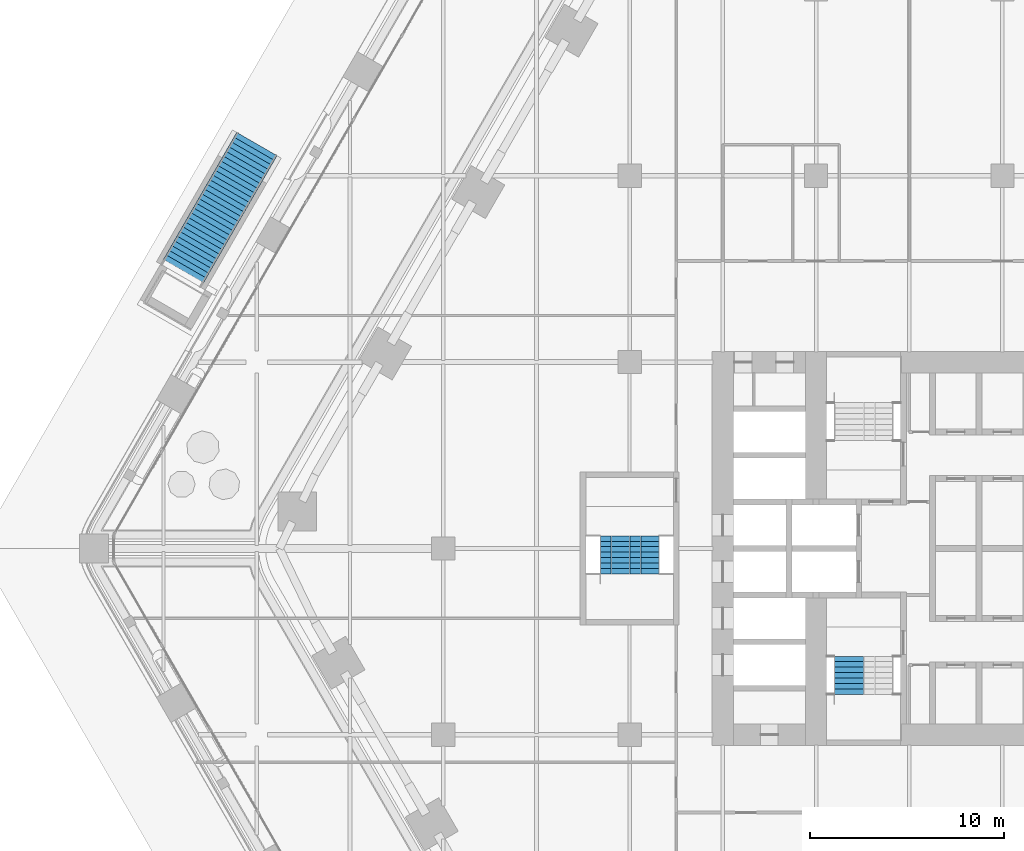
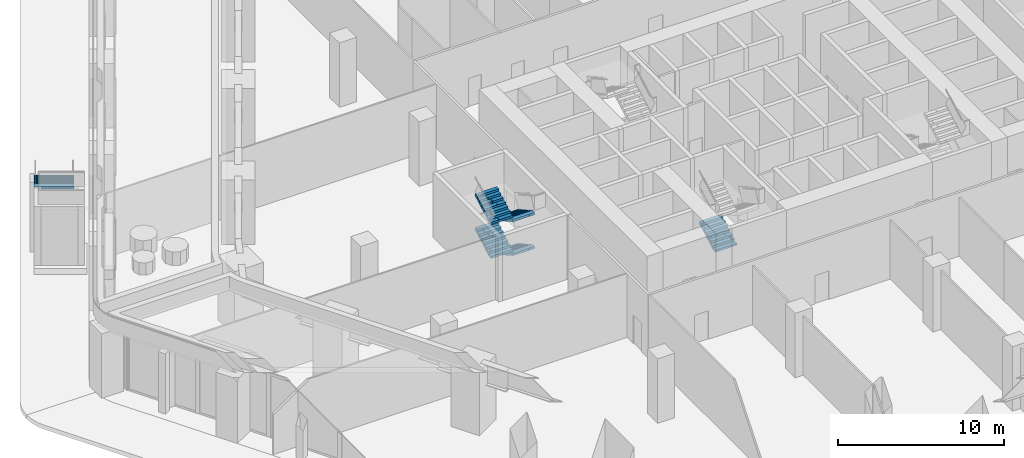
# One storey, part 24 of 34: 6 stair flights, 3 elements without a shape of their own.
"""IFC4 building model written with IfcOpenShell, lengths in metres."""

from ifc_helpers import new_model, si_unit, direction, frame, origin, place, context, subcontext, project, spatial, polyline, outline, extrude, material, type_object, element, aggregate, save


model = new_model("IFC4")

# Units and contexts
model_context = context("Model", 3, precision=1e-05, world=origin(), true_north=direction((0.0, 1.0)))
body_context = subcontext(model_context, "Body", "Model", "MODEL_VIEW")
ifc_project = project(units=[si_unit("LENGTHUNIT", "METRE"), si_unit("AREAUNIT", "SQUARE_METRE"), si_unit("VOLUMEUNIT", "CUBIC_METRE"), si_unit("PLANEANGLEUNIT", "RADIAN"), si_unit("MASSUNIT", "GRAM", prefix="KILO")], contexts=[model_context])

# Site, building, storey
site_placement = place(None, origin())
site = spatial("IfcSite", under=ifc_project, at=site_placement, CompositionType="ELEMENT")
building_placement = place(site_placement, origin())
building = spatial("IfcBuilding", under=site, at=building_placement, Name="Kolab Exchange Tower", CompositionType="ELEMENT")
storey_placement = place(building_placement, frame((0.0, 0.0, 12.39990234375)))
storey = spatial("IfcBuildingStorey", under=building, at=storey_placement, Name="L02", CompositionType="ELEMENT", Elevation=12.39990234375)

# Stair, stair flight
ifc_material_1 = material(Name="Concrete C40/50", Category="concrete")
stair_type_1 = type_object("IfcStairType", Name="GARDEN STAIR RUN A", PredefinedType="STRAIGHT_RUN_STAIR", material=ifc_material_1)
stair_1_placement = place(storey_placement, origin())
stair_1 = element("IfcStair", 1, at=stair_1_placement, inside=storey, type_object=stair_type_1, Name="Garden stair GS6 run A", PredefinedType="STRAIGHT_RUN_STAIR")
stair_flight_type_1 = type_object("IfcStairFlightType", Name="GARDEN STAIR FLIGHT A", PredefinedType="STRAIGHT", material=ifc_material_1)
stair_flight_1_placement = place(storey_placement, frame((-38.398681640625, 20.830078125, 0.0), z_axis=(0.0, 0.0, 1.0), x_axis=(-0.5, -0.866025403784, 0.0)))
stair_flight_1 = element("IfcStairFlight", 2, at=stair_flight_1_placement, type_object=stair_flight_type_1, Name="GS6 flight 1", NumberOfRisers=29, NumberOfTreads=28, PredefinedType="STRAIGHT", RiserHeight=0.172414, TreadLength=0.28, context=body_context, shape_type="SweptSolid", body=[
    extrude(outline(polyline([(0.0, 0.0), (0.0, 0.17236328125), (0.280029296875, 0.17236328125), (0.280029296875, 0.3447265625), (0.56005859375, 0.3447265625), (0.56005859375, 0.517333984375), (0.840087890625, 0.517333984375), (0.840087890625, 0.689697265625), (1.1201171875, 0.689697265625), (1.1201171875, 0.862060546875), (1.39990234375, 0.862060546875), (1.39990234375, 1.034423828125), (1.679931640625, 1.034423828125), (1.679931640625, 1.206787109375), (1.9599609375, 1.206787109375), (1.9599609375, 1.37939453125), (2.239990234375, 1.37939453125), (2.239990234375, 1.5517578125), (2.52001953125, 1.5517578125), (2.52001953125, 1.72412109375), (2.800048828125, 1.72412109375), (2.800048828125, 1.896484375), (3.080078125, 1.896484375), (3.080078125, 2.06884765625), (3.360107421875, 2.06884765625), (3.360107421875, 2.241455078125), (3.639892578125, 2.241455078125), (3.639892578125, 2.413818359375), (3.919921875, 2.413818359375), (3.919921875, 2.586181640625), (4.199951171875, 2.586181640625), (4.199951171875, 2.758544921875), (4.47998046875, 2.758544921875), (4.47998046875, 2.93115234375), (4.760009765625, 2.93115234375), (4.760009765625, 3.103515625), (5.0400390625, 3.103515625), (5.0400390625, 3.27587890625), (5.320068359375, 3.27587890625), (5.320068359375, 3.4482421875), (5.60009765625, 3.4482421875), (5.60009765625, 3.62060546875), (5.8798828125, 3.62060546875), (5.8798828125, 3.793212890625), (6.159912109375, 3.793212890625), (6.159912109375, 3.965576171875), (6.43994140625, 3.965576171875), (6.43994140625, 4.137939453125), (6.719970703125, 4.137939453125), (6.719970703125, 4.310302734375), (7.0, 4.310302734375), (7.0, 4.482666015625), (7.280029296875, 4.482666015625), (7.280029296875, 4.6552734375), (7.56005859375, 4.6552734375), (7.56005859375, 4.82763671875), (7.840087890625, 4.82763671875), (7.840087890625, 5.0), (7.840087890625, 4.651611328125), (0.285888671875, 0.0), (0.0, 0.0)])), frame((0.0, 1.199951171875, 0.0), z_axis=(0.0, -1.0, 0.0), x_axis=(1.0, 0.0, 0.0)), (0.0, 0.0, 1.0), 2.39990234375),
])
aggregate(stair_1, [stair_flight_1])

ifc_material_2 = material(Name="Concrete C50/60", Category="concrete")
stair_type_2 = type_object("IfcStairType", Name="STAIR ST3 RISER 156.2", PredefinedType="DOUBLE_RETURN_STAIR", material=ifc_material_2)
stair_2_placement = place(storey_placement, origin())
stair_2 = element("IfcStair", 3, at=stair_2_placement, inside=storey, type_object=stair_type_2, Name="Stair 3", PredefinedType="DOUBLE_RETURN_STAIR")
stair_flight_type_2 = type_object("IfcStairFlightType", Name="STAIR FLIGHT 1500 RISER 156.2", PredefinedType="STRAIGHT", material=ifc_material_2)
stair_flight_2_placement = place(storey_placement, frame((-7.909912109375, -7.510009765625, 1.25), z_axis=(0.0, 0.0, 1.0), x_axis=(0.0, 1.0, 0.0)))
stair_flight_2 = element("IfcStairFlight", 4, at=stair_flight_2_placement, type_object=stair_flight_type_2, Name="ST3 flight 2", NumberOfRisers=8, NumberOfTreads=7, PredefinedType="STRAIGHT", RiserHeight=0.15625, TreadLength=0.28, context=body_context, shape_type="SweptSolid", body=[
    extrude(outline(polyline([(0.0, 0.0), (0.0, 0.15625), (0.280029296875, 0.15625), (0.280029296875, 0.3125), (0.56005859375, 0.3125), (0.56005859375, 0.46875), (0.840087890625, 0.46875), (0.840087890625, 0.625), (1.1201171875, 0.625), (1.1201171875, 0.78125), (1.39990234375, 0.78125), (1.39990234375, 0.9375), (1.679931640625, 0.9375), (1.679931640625, 1.09375), (1.9599609375, 1.09375), (1.9599609375, 1.25), (1.9599609375, 0.922119140625), (0.3076171875, 0.0), (0.0, 0.0)])), frame((0.0, 0.75, 0.0), z_axis=(0.0, -1.0, 0.0), x_axis=(1.0, 0.0, 0.0)), (0.0, 0.0, 1.0), 0.185791015625),
    extrude(outline(polyline([(0.0, 0.0), (0.0, 0.15625), (0.280029296875, 0.15625), (0.280029296875, 0.3125), (0.56005859375, 0.3125), (0.56005859375, 0.46875), (0.840087890625, 0.46875), (0.840087890625, 0.625), (1.1201171875, 0.625), (1.1201171875, 0.78125), (1.39990234375, 0.78125), (1.39990234375, 0.9375), (1.679931640625, 0.9375), (1.679931640625, 1.09375), (1.9599609375, 1.09375), (1.9599609375, 1.25), (1.9599609375, 0.922119140625), (0.3076171875, 0.0), (0.0, 0.0)])), frame((0.0, 0.562255859375, 0.0), z_axis=(0.0, -1.0, 0.0), x_axis=(1.0, 0.0, 0.0)), (0.0, 0.0, 1.0), 0.185791015625),
    extrude(outline(polyline([(0.0, 0.0), (0.0, 0.15625), (0.280029296875, 0.15625), (0.280029296875, 0.3125), (0.56005859375, 0.3125), (0.56005859375, 0.46875), (0.840087890625, 0.46875), (0.840087890625, 0.625), (1.1201171875, 0.625), (1.1201171875, 0.78125), (1.39990234375, 0.78125), (1.39990234375, 0.9375), (1.679931640625, 0.9375), (1.679931640625, 1.09375), (1.9599609375, 1.09375), (1.9599609375, 1.25), (1.9599609375, 0.922119140625), (0.3076171875, 0.0), (0.0, 0.0)])), frame((0.0, 0.37451171875, 0.0), z_axis=(0.0, -1.0, 0.0), x_axis=(1.0, 0.0, 0.0)), (0.0, 0.0, 1.0), 0.185791015625),
    extrude(outline(polyline([(0.0, 0.0), (0.0, 0.15625), (0.280029296875, 0.15625), (0.280029296875, 0.3125), (0.56005859375, 0.3125), (0.56005859375, 0.46875), (0.840087890625, 0.46875), (0.840087890625, 0.625), (1.1201171875, 0.625), (1.1201171875, 0.78125), (1.39990234375, 0.78125), (1.39990234375, 0.9375), (1.679931640625, 0.9375), (1.679931640625, 1.09375), (1.9599609375, 1.09375), (1.9599609375, 1.25), (1.9599609375, 0.922119140625), (0.3076171875, 0.0), (0.0, 0.0)])), frame((0.0, 0.186767578125, 0.0), z_axis=(0.0, -1.0, 0.0), x_axis=(1.0, 0.0, 0.0)), (0.0, 0.0, 1.0), 0.185791015625),
    extrude(outline(polyline([(0.0, 0.0), (0.0, 0.15625), (0.280029296875, 0.15625), (0.280029296875, 0.3125), (0.56005859375, 0.3125), (0.56005859375, 0.46875), (0.840087890625, 0.46875), (0.840087890625, 0.625), (1.1201171875, 0.625), (1.1201171875, 0.78125), (1.39990234375, 0.78125), (1.39990234375, 0.9375), (1.679931640625, 0.9375), (1.679931640625, 1.09375), (1.9599609375, 1.09375), (1.9599609375, 1.25), (1.9599609375, 0.922119140625), (0.3076171875, 0.0), (0.0, 0.0)])), frame((0.0, -0.0009765625, 0.0), z_axis=(0.0, -1.0, 0.0), x_axis=(1.0, 0.0, 0.0)), (0.0, 0.0, 1.0), 0.185791015625),
    extrude(outline(polyline([(0.0, 0.0), (0.0, 0.15625), (0.280029296875, 0.15625), (0.280029296875, 0.3125), (0.56005859375, 0.3125), (0.56005859375, 0.46875), (0.840087890625, 0.46875), (0.840087890625, 0.625), (1.1201171875, 0.625), (1.1201171875, 0.78125), (1.39990234375, 0.78125), (1.39990234375, 0.9375), (1.679931640625, 0.9375), (1.679931640625, 1.09375), (1.9599609375, 1.09375), (1.9599609375, 1.25), (1.9599609375, 0.922119140625), (0.3076171875, 0.0), (0.0, 0.0)])), frame((0.0, -0.188720703125, 0.0), z_axis=(0.0, -1.0, 0.0), x_axis=(1.0, 0.0, 0.0)), (0.0, 0.0, 1.0), 0.185791015625),
    extrude(outline(polyline([(0.0, 0.0), (0.0, 0.15625), (0.280029296875, 0.15625), (0.280029296875, 0.3125), (0.56005859375, 0.3125), (0.56005859375, 0.46875), (0.840087890625, 0.46875), (0.840087890625, 0.625), (1.1201171875, 0.625), (1.1201171875, 0.78125), (1.39990234375, 0.78125), (1.39990234375, 0.9375), (1.679931640625, 0.9375), (1.679931640625, 1.09375), (1.9599609375, 1.09375), (1.9599609375, 1.25), (1.9599609375, 0.922119140625), (0.3076171875, 0.0), (0.0, 0.0)])), frame((0.0, -0.37646484375, 0.0), z_axis=(0.0, -1.0, 0.0), x_axis=(1.0, 0.0, 0.0)), (0.0, 0.0, 1.0), 0.185791015625),
    extrude(outline(polyline([(0.0, 0.0), (0.0, 0.15625), (0.280029296875, 0.15625), (0.280029296875, 0.3125), (0.56005859375, 0.3125), (0.56005859375, 0.46875), (0.840087890625, 0.46875), (0.840087890625, 0.625), (1.1201171875, 0.625), (1.1201171875, 0.78125), (1.39990234375, 0.78125), (1.39990234375, 0.9375), (1.679931640625, 0.9375), (1.679931640625, 1.09375), (1.9599609375, 1.09375), (1.9599609375, 1.25), (1.9599609375, 0.922119140625), (0.3076171875, 0.0), (0.0, 0.0)])), frame((0.0, -0.564208984375, 0.0), z_axis=(0.0, -1.0, 0.0), x_axis=(1.0, 0.0, 0.0)), (0.0, 0.0, 1.0), 0.185791015625),
])
aggregate(stair_2, [stair_flight_2])

# Stair, stair flights
stair_type_3 = type_object("IfcStairType", Name="STAIR ST5 RISER 156.2", PredefinedType="DOUBLE_RETURN_STAIR", material=ifc_material_2)
stair_3_placement = place(storey_placement, origin())
stair_3 = element("IfcStair", 5, at=stair_3_placement, inside=storey, type_object=stair_type_3, Name="Stair 5", PredefinedType="DOUBLE_RETURN_STAIR")
stair_flight_3_placement = place(storey_placement, frame((-18.43994140625, 0.64990234375, 0.0), z_axis=(0.0, 0.0, 1.0), x_axis=(0.0, -1.0, 0.0)))
stair_flight_3 = element("IfcStairFlight", 6, at=stair_flight_3_placement, type_object=stair_flight_type_2, Name="ST5 flight 1", NumberOfRisers=8, NumberOfTreads=7, PredefinedType="STRAIGHT", RiserHeight=0.15625, TreadLength=0.28, context=body_context, shape_type="SweptSolid", body=[
    extrude(outline(polyline([(0.0, 0.0), (0.0, 0.15625), (0.280029296875, 0.15625), (0.280029296875, 0.3125), (0.56005859375, 0.3125), (0.56005859375, 0.46875), (0.840087890625, 0.46875), (0.840087890625, 0.625), (1.1201171875, 0.625), (1.1201171875, 0.78125), (1.39990234375, 0.78125), (1.39990234375, 0.9375), (1.679931640625, 0.9375), (1.679931640625, 1.09375), (1.9599609375, 1.09375), (1.9599609375, 1.25), (1.9599609375, 0.922119140625), (0.3076171875, 0.0), (0.0, 0.0)])), frame((0.0, 0.75, 0.0), z_axis=(0.0, -1.0, 0.0), x_axis=(1.0, 0.0, 0.0)), (0.0, 0.0, 1.0), 0.185791015625),
    extrude(outline(polyline([(0.0, 0.0), (0.0, 0.15625), (0.280029296875, 0.15625), (0.280029296875, 0.3125), (0.56005859375, 0.3125), (0.56005859375, 0.46875), (0.840087890625, 0.46875), (0.840087890625, 0.625), (1.1201171875, 0.625), (1.1201171875, 0.78125), (1.39990234375, 0.78125), (1.39990234375, 0.9375), (1.679931640625, 0.9375), (1.679931640625, 1.09375), (1.9599609375, 1.09375), (1.9599609375, 1.25), (1.9599609375, 0.922119140625), (0.3076171875, 0.0), (0.0, 0.0)])), frame((0.0, 0.562255859375, 0.0), z_axis=(0.0, -1.0, 0.0), x_axis=(1.0, 0.0, 0.0)), (0.0, 0.0, 1.0), 0.185791015625),
    extrude(outline(polyline([(0.0, 0.0), (0.0, 0.15625), (0.280029296875, 0.15625), (0.280029296875, 0.3125), (0.56005859375, 0.3125), (0.56005859375, 0.46875), (0.840087890625, 0.46875), (0.840087890625, 0.625), (1.1201171875, 0.625), (1.1201171875, 0.78125), (1.39990234375, 0.78125), (1.39990234375, 0.9375), (1.679931640625, 0.9375), (1.679931640625, 1.09375), (1.9599609375, 1.09375), (1.9599609375, 1.25), (1.9599609375, 0.922119140625), (0.3076171875, 0.0), (0.0, 0.0)])), frame((0.0, 0.37451171875, 0.0), z_axis=(0.0, -1.0, 0.0), x_axis=(1.0, 0.0, 0.0)), (0.0, 0.0, 1.0), 0.185791015625),
    extrude(outline(polyline([(0.0, 0.0), (0.0, 0.15625), (0.280029296875, 0.15625), (0.280029296875, 0.3125), (0.56005859375, 0.3125), (0.56005859375, 0.46875), (0.840087890625, 0.46875), (0.840087890625, 0.625), (1.1201171875, 0.625), (1.1201171875, 0.78125), (1.39990234375, 0.78125), (1.39990234375, 0.9375), (1.679931640625, 0.9375), (1.679931640625, 1.09375), (1.9599609375, 1.09375), (1.9599609375, 1.25), (1.9599609375, 0.922119140625), (0.3076171875, 0.0), (0.0, 0.0)])), frame((0.0, 0.186767578125, 0.0), z_axis=(0.0, -1.0, 0.0), x_axis=(1.0, 0.0, 0.0)), (0.0, 0.0, 1.0), 0.185791015625),
    extrude(outline(polyline([(0.0, 0.0), (0.0, 0.15625), (0.280029296875, 0.15625), (0.280029296875, 0.3125), (0.56005859375, 0.3125), (0.56005859375, 0.46875), (0.840087890625, 0.46875), (0.840087890625, 0.625), (1.1201171875, 0.625), (1.1201171875, 0.78125), (1.39990234375, 0.78125), (1.39990234375, 0.9375), (1.679931640625, 0.9375), (1.679931640625, 1.09375), (1.9599609375, 1.09375), (1.9599609375, 1.25), (1.9599609375, 0.922119140625), (0.3076171875, 0.0), (0.0, 0.0)])), frame((0.0, -0.0009765625, 0.0), z_axis=(0.0, -1.0, 0.0), x_axis=(1.0, 0.0, 0.0)), (0.0, 0.0, 1.0), 0.185791015625),
    extrude(outline(polyline([(0.0, 0.0), (0.0, 0.15625), (0.280029296875, 0.15625), (0.280029296875, 0.3125), (0.56005859375, 0.3125), (0.56005859375, 0.46875), (0.840087890625, 0.46875), (0.840087890625, 0.625), (1.1201171875, 0.625), (1.1201171875, 0.78125), (1.39990234375, 0.78125), (1.39990234375, 0.9375), (1.679931640625, 0.9375), (1.679931640625, 1.09375), (1.9599609375, 1.09375), (1.9599609375, 1.25), (1.9599609375, 0.922119140625), (0.3076171875, 0.0), (0.0, 0.0)])), frame((0.0, -0.188720703125, 0.0), z_axis=(0.0, -1.0, 0.0), x_axis=(1.0, 0.0, 0.0)), (0.0, 0.0, 1.0), 0.185791015625),
    extrude(outline(polyline([(0.0, 0.0), (0.0, 0.15625), (0.280029296875, 0.15625), (0.280029296875, 0.3125), (0.56005859375, 0.3125), (0.56005859375, 0.46875), (0.840087890625, 0.46875), (0.840087890625, 0.625), (1.1201171875, 0.625), (1.1201171875, 0.78125), (1.39990234375, 0.78125), (1.39990234375, 0.9375), (1.679931640625, 0.9375), (1.679931640625, 1.09375), (1.9599609375, 1.09375), (1.9599609375, 1.25), (1.9599609375, 0.922119140625), (0.3076171875, 0.0), (0.0, 0.0)])), frame((0.0, -0.37646484375, 0.0), z_axis=(0.0, -1.0, 0.0), x_axis=(1.0, 0.0, 0.0)), (0.0, 0.0, 1.0), 0.185791015625),
    extrude(outline(polyline([(0.0, 0.0), (0.0, 0.15625), (0.280029296875, 0.15625), (0.280029296875, 0.3125), (0.56005859375, 0.3125), (0.56005859375, 0.46875), (0.840087890625, 0.46875), (0.840087890625, 0.625), (1.1201171875, 0.625), (1.1201171875, 0.78125), (1.39990234375, 0.78125), (1.39990234375, 0.9375), (1.679931640625, 0.9375), (1.679931640625, 1.09375), (1.9599609375, 1.09375), (1.9599609375, 1.25), (1.9599609375, 0.922119140625), (0.3076171875, 0.0), (0.0, 0.0)])), frame((0.0, -0.564208984375, 0.0), z_axis=(0.0, -1.0, 0.0), x_axis=(1.0, 0.0, 0.0)), (0.0, 0.0, 1.0), 0.185791015625),
])
stair_flight_4_placement = place(storey_placement, frame((-19.9599609375, -1.31005859375, 1.25), z_axis=(0.0, 0.0, 1.0), x_axis=(0.0, 1.0, 0.0)))
stair_flight_4 = element("IfcStairFlight", 7, at=stair_flight_4_placement, type_object=stair_flight_type_2, Name="ST5 flight 2", NumberOfRisers=8, NumberOfTreads=7, PredefinedType="STRAIGHT", RiserHeight=0.15625, TreadLength=0.28, context=body_context, shape_type="SweptSolid", body=[
    extrude(outline(polyline([(0.0, 0.0), (0.0, 0.15625), (0.280029296875, 0.15625), (0.280029296875, 0.3125), (0.56005859375, 0.3125), (0.56005859375, 0.46875), (0.840087890625, 0.46875), (0.840087890625, 0.625), (1.1201171875, 0.625), (1.1201171875, 0.78125), (1.39990234375, 0.78125), (1.39990234375, 0.9375), (1.679931640625, 0.9375), (1.679931640625, 1.09375), (1.9599609375, 1.09375), (1.9599609375, 1.25), (1.9599609375, 0.922119140625), (0.3076171875, 0.0), (0.0, 0.0)])), frame((0.0, 0.75, 0.0), z_axis=(0.0, -1.0, 0.0), x_axis=(1.0, 0.0, 0.0)), (0.0, 0.0, 1.0), 0.185791015625),
    extrude(outline(polyline([(0.0, 0.0), (0.0, 0.15625), (0.280029296875, 0.15625), (0.280029296875, 0.3125), (0.56005859375, 0.3125), (0.56005859375, 0.46875), (0.840087890625, 0.46875), (0.840087890625, 0.625), (1.1201171875, 0.625), (1.1201171875, 0.78125), (1.39990234375, 0.78125), (1.39990234375, 0.9375), (1.679931640625, 0.9375), (1.679931640625, 1.09375), (1.9599609375, 1.09375), (1.9599609375, 1.25), (1.9599609375, 0.922119140625), (0.3076171875, 0.0), (0.0, 0.0)])), frame((0.0, 0.562255859375, 0.0), z_axis=(0.0, -1.0, 0.0), x_axis=(1.0, 0.0, 0.0)), (0.0, 0.0, 1.0), 0.185791015625),
    extrude(outline(polyline([(0.0, 0.0), (0.0, 0.15625), (0.280029296875, 0.15625), (0.280029296875, 0.3125), (0.56005859375, 0.3125), (0.56005859375, 0.46875), (0.840087890625, 0.46875), (0.840087890625, 0.625), (1.1201171875, 0.625), (1.1201171875, 0.78125), (1.39990234375, 0.78125), (1.39990234375, 0.9375), (1.679931640625, 0.9375), (1.679931640625, 1.09375), (1.9599609375, 1.09375), (1.9599609375, 1.25), (1.9599609375, 0.922119140625), (0.3076171875, 0.0), (0.0, 0.0)])), frame((0.0, 0.37451171875, 0.0), z_axis=(0.0, -1.0, 0.0), x_axis=(1.0, 0.0, 0.0)), (0.0, 0.0, 1.0), 0.185791015625),
    extrude(outline(polyline([(0.0, 0.0), (0.0, 0.15625), (0.280029296875, 0.15625), (0.280029296875, 0.3125), (0.56005859375, 0.3125), (0.56005859375, 0.46875), (0.840087890625, 0.46875), (0.840087890625, 0.625), (1.1201171875, 0.625), (1.1201171875, 0.78125), (1.39990234375, 0.78125), (1.39990234375, 0.9375), (1.679931640625, 0.9375), (1.679931640625, 1.09375), (1.9599609375, 1.09375), (1.9599609375, 1.25), (1.9599609375, 0.922119140625), (0.3076171875, 0.0), (0.0, 0.0)])), frame((0.0, 0.186767578125, 0.0), z_axis=(0.0, -1.0, 0.0), x_axis=(1.0, 0.0, 0.0)), (0.0, 0.0, 1.0), 0.185791015625),
    extrude(outline(polyline([(0.0, 0.0), (0.0, 0.15625), (0.280029296875, 0.15625), (0.280029296875, 0.3125), (0.56005859375, 0.3125), (0.56005859375, 0.46875), (0.840087890625, 0.46875), (0.840087890625, 0.625), (1.1201171875, 0.625), (1.1201171875, 0.78125), (1.39990234375, 0.78125), (1.39990234375, 0.9375), (1.679931640625, 0.9375), (1.679931640625, 1.09375), (1.9599609375, 1.09375), (1.9599609375, 1.25), (1.9599609375, 0.922119140625), (0.3076171875, 0.0), (0.0, 0.0)])), frame((0.0, -0.0009765625, 0.0), z_axis=(0.0, -1.0, 0.0), x_axis=(1.0, 0.0, 0.0)), (0.0, 0.0, 1.0), 0.185791015625),
    extrude(outline(polyline([(0.0, 0.0), (0.0, 0.15625), (0.280029296875, 0.15625), (0.280029296875, 0.3125), (0.56005859375, 0.3125), (0.56005859375, 0.46875), (0.840087890625, 0.46875), (0.840087890625, 0.625), (1.1201171875, 0.625), (1.1201171875, 0.78125), (1.39990234375, 0.78125), (1.39990234375, 0.9375), (1.679931640625, 0.9375), (1.679931640625, 1.09375), (1.9599609375, 1.09375), (1.9599609375, 1.25), (1.9599609375, 0.922119140625), (0.3076171875, 0.0), (0.0, 0.0)])), frame((0.0, -0.188720703125, 0.0), z_axis=(0.0, -1.0, 0.0), x_axis=(1.0, 0.0, 0.0)), (0.0, 0.0, 1.0), 0.185791015625),
    extrude(outline(polyline([(0.0, 0.0), (0.0, 0.15625), (0.280029296875, 0.15625), (0.280029296875, 0.3125), (0.56005859375, 0.3125), (0.56005859375, 0.46875), (0.840087890625, 0.46875), (0.840087890625, 0.625), (1.1201171875, 0.625), (1.1201171875, 0.78125), (1.39990234375, 0.78125), (1.39990234375, 0.9375), (1.679931640625, 0.9375), (1.679931640625, 1.09375), (1.9599609375, 1.09375), (1.9599609375, 1.25), (1.9599609375, 0.922119140625), (0.3076171875, 0.0), (0.0, 0.0)])), frame((0.0, -0.37646484375, 0.0), z_axis=(0.0, -1.0, 0.0), x_axis=(1.0, 0.0, 0.0)), (0.0, 0.0, 1.0), 0.185791015625),
    extrude(outline(polyline([(0.0, 0.0), (0.0, 0.15625), (0.280029296875, 0.15625), (0.280029296875, 0.3125), (0.56005859375, 0.3125), (0.56005859375, 0.46875), (0.840087890625, 0.46875), (0.840087890625, 0.625), (1.1201171875, 0.625), (1.1201171875, 0.78125), (1.39990234375, 0.78125), (1.39990234375, 0.9375), (1.679931640625, 0.9375), (1.679931640625, 1.09375), (1.9599609375, 1.09375), (1.9599609375, 1.25), (1.9599609375, 0.922119140625), (0.3076171875, 0.0), (0.0, 0.0)])), frame((0.0, -0.564208984375, 0.0), z_axis=(0.0, -1.0, 0.0), x_axis=(1.0, 0.0, 0.0)), (0.0, 0.0, 1.0), 0.185791015625),
])
stair_flight_5_placement = place(storey_placement, frame((-18.43994140625, 0.64990234375, 2.5), z_axis=(0.0, 0.0, 1.0), x_axis=(0.0, -1.0, 0.0)))
stair_flight_5 = element("IfcStairFlight", 8, at=stair_flight_5_placement, type_object=stair_flight_type_2, Name="ST5 flight 3", NumberOfRisers=8, NumberOfTreads=7, PredefinedType="STRAIGHT", RiserHeight=0.15625, TreadLength=0.28, context=body_context, shape_type="SweptSolid", body=[
    extrude(outline(polyline([(0.0, 0.0), (0.0, 0.15625), (0.280029296875, 0.15625), (0.280029296875, 0.3125), (0.56005859375, 0.3125), (0.56005859375, 0.46875), (0.840087890625, 0.46875), (0.840087890625, 0.625), (1.1201171875, 0.625), (1.1201171875, 0.78125), (1.39990234375, 0.78125), (1.39990234375, 0.9375), (1.679931640625, 0.9375), (1.679931640625, 1.09375), (1.9599609375, 1.09375), (1.9599609375, 1.25), (1.9599609375, 0.922119140625), (0.3076171875, 0.0), (0.0, 0.0)])), frame((0.0, 0.75, 0.0), z_axis=(0.0, -1.0, 0.0), x_axis=(1.0, 0.0, 0.0)), (0.0, 0.0, 1.0), 0.185791015625),
    extrude(outline(polyline([(0.0, 0.0), (0.0, 0.15625), (0.280029296875, 0.15625), (0.280029296875, 0.3125), (0.56005859375, 0.3125), (0.56005859375, 0.46875), (0.840087890625, 0.46875), (0.840087890625, 0.625), (1.1201171875, 0.625), (1.1201171875, 0.78125), (1.39990234375, 0.78125), (1.39990234375, 0.9375), (1.679931640625, 0.9375), (1.679931640625, 1.09375), (1.9599609375, 1.09375), (1.9599609375, 1.25), (1.9599609375, 0.922119140625), (0.3076171875, 0.0), (0.0, 0.0)])), frame((0.0, 0.562255859375, 0.0), z_axis=(0.0, -1.0, 0.0), x_axis=(1.0, 0.0, 0.0)), (0.0, 0.0, 1.0), 0.185791015625),
    extrude(outline(polyline([(0.0, 0.0), (0.0, 0.15625), (0.280029296875, 0.15625), (0.280029296875, 0.3125), (0.56005859375, 0.3125), (0.56005859375, 0.46875), (0.840087890625, 0.46875), (0.840087890625, 0.625), (1.1201171875, 0.625), (1.1201171875, 0.78125), (1.39990234375, 0.78125), (1.39990234375, 0.9375), (1.679931640625, 0.9375), (1.679931640625, 1.09375), (1.9599609375, 1.09375), (1.9599609375, 1.25), (1.9599609375, 0.922119140625), (0.3076171875, 0.0), (0.0, 0.0)])), frame((0.0, 0.37451171875, 0.0), z_axis=(0.0, -1.0, 0.0), x_axis=(1.0, 0.0, 0.0)), (0.0, 0.0, 1.0), 0.185791015625),
    extrude(outline(polyline([(0.0, 0.0), (0.0, 0.15625), (0.280029296875, 0.15625), (0.280029296875, 0.3125), (0.56005859375, 0.3125), (0.56005859375, 0.46875), (0.840087890625, 0.46875), (0.840087890625, 0.625), (1.1201171875, 0.625), (1.1201171875, 0.78125), (1.39990234375, 0.78125), (1.39990234375, 0.9375), (1.679931640625, 0.9375), (1.679931640625, 1.09375), (1.9599609375, 1.09375), (1.9599609375, 1.25), (1.9599609375, 0.922119140625), (0.3076171875, 0.0), (0.0, 0.0)])), frame((0.0, 0.186767578125, 0.0), z_axis=(0.0, -1.0, 0.0), x_axis=(1.0, 0.0, 0.0)), (0.0, 0.0, 1.0), 0.185791015625),
    extrude(outline(polyline([(0.0, 0.0), (0.0, 0.15625), (0.280029296875, 0.15625), (0.280029296875, 0.3125), (0.56005859375, 0.3125), (0.56005859375, 0.46875), (0.840087890625, 0.46875), (0.840087890625, 0.625), (1.1201171875, 0.625), (1.1201171875, 0.78125), (1.39990234375, 0.78125), (1.39990234375, 0.9375), (1.679931640625, 0.9375), (1.679931640625, 1.09375), (1.9599609375, 1.09375), (1.9599609375, 1.25), (1.9599609375, 0.922119140625), (0.3076171875, 0.0), (0.0, 0.0)])), frame((0.0, -0.0009765625, 0.0), z_axis=(0.0, -1.0, 0.0), x_axis=(1.0, 0.0, 0.0)), (0.0, 0.0, 1.0), 0.185791015625),
    extrude(outline(polyline([(0.0, 0.0), (0.0, 0.15625), (0.280029296875, 0.15625), (0.280029296875, 0.3125), (0.56005859375, 0.3125), (0.56005859375, 0.46875), (0.840087890625, 0.46875), (0.840087890625, 0.625), (1.1201171875, 0.625), (1.1201171875, 0.78125), (1.39990234375, 0.78125), (1.39990234375, 0.9375), (1.679931640625, 0.9375), (1.679931640625, 1.09375), (1.9599609375, 1.09375), (1.9599609375, 1.25), (1.9599609375, 0.922119140625), (0.3076171875, 0.0), (0.0, 0.0)])), frame((0.0, -0.188720703125, 0.0), z_axis=(0.0, -1.0, 0.0), x_axis=(1.0, 0.0, 0.0)), (0.0, 0.0, 1.0), 0.185791015625),
    extrude(outline(polyline([(0.0, 0.0), (0.0, 0.15625), (0.280029296875, 0.15625), (0.280029296875, 0.3125), (0.56005859375, 0.3125), (0.56005859375, 0.46875), (0.840087890625, 0.46875), (0.840087890625, 0.625), (1.1201171875, 0.625), (1.1201171875, 0.78125), (1.39990234375, 0.78125), (1.39990234375, 0.9375), (1.679931640625, 0.9375), (1.679931640625, 1.09375), (1.9599609375, 1.09375), (1.9599609375, 1.25), (1.9599609375, 0.922119140625), (0.3076171875, 0.0), (0.0, 0.0)])), frame((0.0, -0.37646484375, 0.0), z_axis=(0.0, -1.0, 0.0), x_axis=(1.0, 0.0, 0.0)), (0.0, 0.0, 1.0), 0.185791015625),
    extrude(outline(polyline([(0.0, 0.0), (0.0, 0.15625), (0.280029296875, 0.15625), (0.280029296875, 0.3125), (0.56005859375, 0.3125), (0.56005859375, 0.46875), (0.840087890625, 0.46875), (0.840087890625, 0.625), (1.1201171875, 0.625), (1.1201171875, 0.78125), (1.39990234375, 0.78125), (1.39990234375, 0.9375), (1.679931640625, 0.9375), (1.679931640625, 1.09375), (1.9599609375, 1.09375), (1.9599609375, 1.25), (1.9599609375, 0.922119140625), (0.3076171875, 0.0), (0.0, 0.0)])), frame((0.0, -0.564208984375, 0.0), z_axis=(0.0, -1.0, 0.0), x_axis=(1.0, 0.0, 0.0)), (0.0, 0.0, 1.0), 0.185791015625),
])
stair_flight_6_placement = place(storey_placement, frame((-19.9599609375, -1.31005859375, 3.75), z_axis=(0.0, 0.0, 1.0), x_axis=(0.0, 1.0, 0.0)))
stair_flight_6 = element("IfcStairFlight", 9, at=stair_flight_6_placement, type_object=stair_flight_type_2, Name="ST5 flight 4", NumberOfRisers=8, NumberOfTreads=7, PredefinedType="STRAIGHT", RiserHeight=0.15625, TreadLength=0.28, context=body_context, shape_type="SweptSolid", body=[
    extrude(outline(polyline([(0.0, 0.0), (0.0, 0.15625), (0.280029296875, 0.15625), (0.280029296875, 0.3125), (0.56005859375, 0.3125), (0.56005859375, 0.46875), (0.840087890625, 0.46875), (0.840087890625, 0.625), (1.1201171875, 0.625), (1.1201171875, 0.78125), (1.39990234375, 0.78125), (1.39990234375, 0.9375), (1.679931640625, 0.9375), (1.679931640625, 1.09375), (1.9599609375, 1.09375), (1.9599609375, 1.25), (1.9599609375, 0.922119140625), (0.3076171875, 0.0), (0.0, 0.0)])), frame((0.0, 0.75, 0.0), z_axis=(0.0, -1.0, 0.0), x_axis=(1.0, 0.0, 0.0)), (0.0, 0.0, 1.0), 0.185791015625),
    extrude(outline(polyline([(0.0, 0.0), (0.0, 0.15625), (0.280029296875, 0.15625), (0.280029296875, 0.3125), (0.56005859375, 0.3125), (0.56005859375, 0.46875), (0.840087890625, 0.46875), (0.840087890625, 0.625), (1.1201171875, 0.625), (1.1201171875, 0.78125), (1.39990234375, 0.78125), (1.39990234375, 0.9375), (1.679931640625, 0.9375), (1.679931640625, 1.09375), (1.9599609375, 1.09375), (1.9599609375, 1.25), (1.9599609375, 0.922119140625), (0.3076171875, 0.0), (0.0, 0.0)])), frame((0.0, 0.562255859375, 0.0), z_axis=(0.0, -1.0, 0.0), x_axis=(1.0, 0.0, 0.0)), (0.0, 0.0, 1.0), 0.185791015625),
    extrude(outline(polyline([(0.0, 0.0), (0.0, 0.15625), (0.280029296875, 0.15625), (0.280029296875, 0.3125), (0.56005859375, 0.3125), (0.56005859375, 0.46875), (0.840087890625, 0.46875), (0.840087890625, 0.625), (1.1201171875, 0.625), (1.1201171875, 0.78125), (1.39990234375, 0.78125), (1.39990234375, 0.9375), (1.679931640625, 0.9375), (1.679931640625, 1.09375), (1.9599609375, 1.09375), (1.9599609375, 1.25), (1.9599609375, 0.922119140625), (0.3076171875, 0.0), (0.0, 0.0)])), frame((0.0, 0.37451171875, 0.0), z_axis=(0.0, -1.0, 0.0), x_axis=(1.0, 0.0, 0.0)), (0.0, 0.0, 1.0), 0.185791015625),
    extrude(outline(polyline([(0.0, 0.0), (0.0, 0.15625), (0.280029296875, 0.15625), (0.280029296875, 0.3125), (0.56005859375, 0.3125), (0.56005859375, 0.46875), (0.840087890625, 0.46875), (0.840087890625, 0.625), (1.1201171875, 0.625), (1.1201171875, 0.78125), (1.39990234375, 0.78125), (1.39990234375, 0.9375), (1.679931640625, 0.9375), (1.679931640625, 1.09375), (1.9599609375, 1.09375), (1.9599609375, 1.25), (1.9599609375, 0.922119140625), (0.3076171875, 0.0), (0.0, 0.0)])), frame((0.0, 0.186767578125, 0.0), z_axis=(0.0, -1.0, 0.0), x_axis=(1.0, 0.0, 0.0)), (0.0, 0.0, 1.0), 0.185791015625),
    extrude(outline(polyline([(0.0, 0.0), (0.0, 0.15625), (0.280029296875, 0.15625), (0.280029296875, 0.3125), (0.56005859375, 0.3125), (0.56005859375, 0.46875), (0.840087890625, 0.46875), (0.840087890625, 0.625), (1.1201171875, 0.625), (1.1201171875, 0.78125), (1.39990234375, 0.78125), (1.39990234375, 0.9375), (1.679931640625, 0.9375), (1.679931640625, 1.09375), (1.9599609375, 1.09375), (1.9599609375, 1.25), (1.9599609375, 0.922119140625), (0.3076171875, 0.0), (0.0, 0.0)])), frame((0.0, -0.0009765625, 0.0), z_axis=(0.0, -1.0, 0.0), x_axis=(1.0, 0.0, 0.0)), (0.0, 0.0, 1.0), 0.185791015625),
    extrude(outline(polyline([(0.0, 0.0), (0.0, 0.15625), (0.280029296875, 0.15625), (0.280029296875, 0.3125), (0.56005859375, 0.3125), (0.56005859375, 0.46875), (0.840087890625, 0.46875), (0.840087890625, 0.625), (1.1201171875, 0.625), (1.1201171875, 0.78125), (1.39990234375, 0.78125), (1.39990234375, 0.9375), (1.679931640625, 0.9375), (1.679931640625, 1.09375), (1.9599609375, 1.09375), (1.9599609375, 1.25), (1.9599609375, 0.922119140625), (0.3076171875, 0.0), (0.0, 0.0)])), frame((0.0, -0.188720703125, 0.0), z_axis=(0.0, -1.0, 0.0), x_axis=(1.0, 0.0, 0.0)), (0.0, 0.0, 1.0), 0.185791015625),
    extrude(outline(polyline([(0.0, 0.0), (0.0, 0.15625), (0.280029296875, 0.15625), (0.280029296875, 0.3125), (0.56005859375, 0.3125), (0.56005859375, 0.46875), (0.840087890625, 0.46875), (0.840087890625, 0.625), (1.1201171875, 0.625), (1.1201171875, 0.78125), (1.39990234375, 0.78125), (1.39990234375, 0.9375), (1.679931640625, 0.9375), (1.679931640625, 1.09375), (1.9599609375, 1.09375), (1.9599609375, 1.25), (1.9599609375, 0.922119140625), (0.3076171875, 0.0), (0.0, 0.0)])), frame((0.0, -0.37646484375, 0.0), z_axis=(0.0, -1.0, 0.0), x_axis=(1.0, 0.0, 0.0)), (0.0, 0.0, 1.0), 0.185791015625),
    extrude(outline(polyline([(0.0, 0.0), (0.0, 0.15625), (0.280029296875, 0.15625), (0.280029296875, 0.3125), (0.56005859375, 0.3125), (0.56005859375, 0.46875), (0.840087890625, 0.46875), (0.840087890625, 0.625), (1.1201171875, 0.625), (1.1201171875, 0.78125), (1.39990234375, 0.78125), (1.39990234375, 0.9375), (1.679931640625, 0.9375), (1.679931640625, 1.09375), (1.9599609375, 1.09375), (1.9599609375, 1.25), (1.9599609375, 0.922119140625), (0.3076171875, 0.0), (0.0, 0.0)])), frame((0.0, -0.564208984375, 0.0), z_axis=(0.0, -1.0, 0.0), x_axis=(1.0, 0.0, 0.0)), (0.0, 0.0, 1.0), 0.185791015625),
])
aggregate(stair_3, [stair_flight_3, stair_flight_4, stair_flight_5, stair_flight_6])

save(model, "model.ifc")
